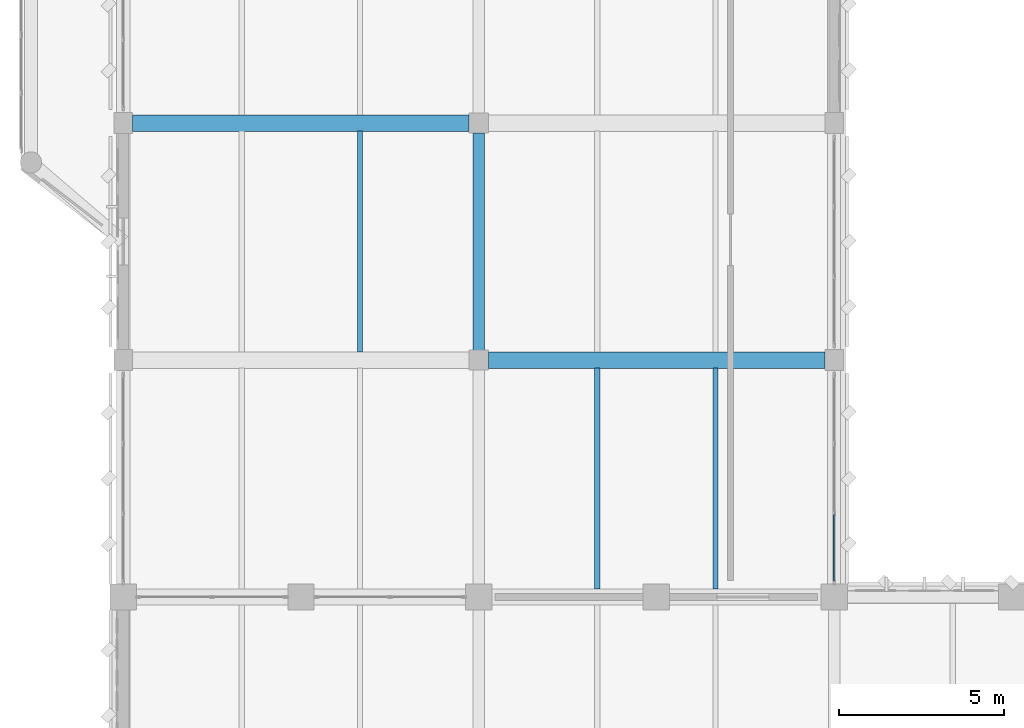
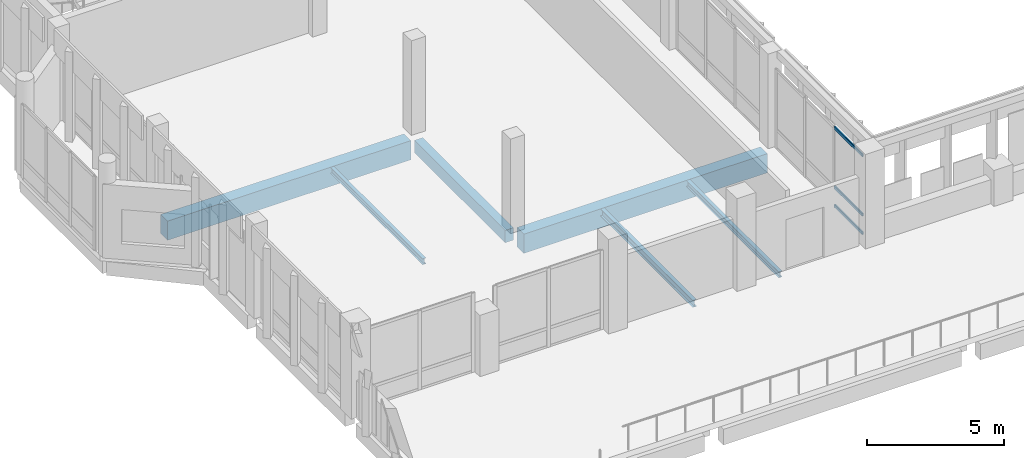
# One storey, part 12 of 158: 6 beams, 3 members, 1 element without a shape of its own.
"""IFC4 building model written with IfcOpenShell, lengths in metres."""

from ifc_helpers import new_model, si_unit, direction, frame, origin, origin_2d, place, context, subcontext, project, spatial, rectangle, hollow_rectangle, i_section, extrude, material, material_profile, profile_set, type_object, element, aggregate, save


model = new_model("IFC4")

# Units and contexts
model_context = context("Model", 3, precision=1e-05, world=origin(), true_north=direction((0.0, 1.0)))
body_context = subcontext(model_context, "Body", "Model", "MODEL_VIEW")
ifc_project = project(units=[si_unit("LENGTHUNIT", "METRE"), si_unit("AREAUNIT", "SQUARE_METRE"), si_unit("VOLUMEUNIT", "CUBIC_METRE"), si_unit("PLANEANGLEUNIT", "RADIAN"), si_unit("MASSUNIT", "GRAM", prefix="KILO")], contexts=[model_context])

# Site, building, storey
site_placement = place(None, origin())
site = spatial("IfcSite", under=ifc_project, at=site_placement, CompositionType="ELEMENT")
building_placement = place(site_placement, origin())
building = spatial("IfcBuilding", under=site, at=building_placement, Name="Lusvemor Sports Hall", CompositionType="ELEMENT")
storey_placement = place(building_placement, frame((0.0, 0.0, 10.800048828125)))
storey = spatial("IfcBuildingStorey", under=building, at=storey_placement, Name="L02", CompositionType="ELEMENT", Elevation=10.800048828125)

# Beam
ifc_material_1 = material(Name="Concrete C40/50", Category="concrete")
ifc_material_profile_1 = material_profile(ifc_material_1, rectangle(XDim=0.35009765625, YDim=0.550048828125, at=origin_2d()), Name="RC350x550")
ifc_profile_set_1 = profile_set([ifc_material_profile_1], Name="Concrete C40/50")
beam_type_1 = type_object("IfcBeamType", Name="BEAM_RC_550", PredefinedType="BEAM", material=ifc_profile_set_1)
beam_1_placement = place(storey_placement, frame((10.800048828125, 54.2958984375, -0.53515625), z_axis=(0.0, 1.0, 0.0), x_axis=(-1.0, 0.0, 0.0)))
element("IfcBeam", 1, at=beam_1_placement, inside=storey, type_object=beam_type_1, Name="Beam L02 2:G-H", PredefinedType="BEAM", context=body_context, shape_type="SweptSolid", body=[
    extrude(rectangle(XDim=0.35009765625, YDim=0.550048828125, at=origin_2d()), origin(), (0.0, 0.0, 1.0), 6.608154296875),
])

# Curtain wall, members
ifc_material_2 = material(Name="Thermally broken bronze-anodized aluminium", Category="aluminium")
curtain_wall_type = type_object("IfcCurtainWallType", Name="CW_WING_B", PredefinedType="NOTDEFINED", material=ifc_material_2)
curtain_wall_placement = place(storey_placement, origin())
curtain_wall = element("IfcCurtainWall", 2, at=curtain_wall_placement, inside=storey, type_object=curtain_wall_type, Name="Curtain Wall CW-L02-E-5-0", PredefinedType="NOTDEFINED")
ifc_material_3 = material(Name="Thermally broken bronze-anodized aluminium", Category="aluminium")
ifc_material_profile_2 = material_profile(ifc_material_3, hollow_rectangle(XDim=0.06005859375, YDim=0.135009765625, WallThickness=0.00390625, InnerFilletRadius=0.00390625, OuterFilletRadius=0.008056640625, at=origin_2d()), Name="CWTRN135x60x4")
ifc_profile_set_2 = profile_set([ifc_material_profile_2], Name="Thermally broken bronze-anodized aluminium")
member_type = type_object("IfcMemberType", Name="CW_TRN_B", PredefinedType="USERDEFINED", material=ifc_profile_set_2)
member_1_placement = place(storey_placement, frame((21.60009765625, 49.3076171875, 0.030029296875), z_axis=(0.0, -1.0, 0.0), x_axis=(1.0, 0.0, 0.0)))
member_1 = element("IfcMember", 3, at=member_1_placement, type_object=member_type, Name="CW02 transom 3.1", ObjectType="TRANSOM", PredefinedType="USERDEFINED", context=body_context, shape_type="SweptSolid", body=[
    extrude(hollow_rectangle(XDim=0.06005859375, YDim=0.135009765625, WallThickness=0.00390625, InnerFilletRadius=0.00390625, OuterFilletRadius=0.008056640625, at=origin_2d()), origin(), (0.0, 0.0, 1.0), 2.022705078125),
])
member_2_placement = place(storey_placement, frame((21.60009765625, 49.3076171875, 0.849853515625), z_axis=(0.0, -1.0, 0.0), x_axis=(1.0, 0.0, 0.0)))
member_2 = element("IfcMember", 4, at=member_2_placement, type_object=member_type, Name="CW02 transom 3.2", ObjectType="TRANSOM", PredefinedType="USERDEFINED", context=body_context, shape_type="SweptSolid", body=[
    extrude(hollow_rectangle(XDim=0.06005859375, YDim=0.135009765625, WallThickness=0.00390625, InnerFilletRadius=0.00390625, OuterFilletRadius=0.008056640625, at=origin_2d()), origin(), (0.0, 0.0, 1.0), 2.022705078125),
])
member_3_placement = place(storey_placement, frame((21.60009765625, 49.3076171875, 3.489990234375), z_axis=(0.0, -1.0, 0.0), x_axis=(1.0, 0.0, 0.0)))
member_3 = element("IfcMember", 5, at=member_3_placement, type_object=member_type, Name="CW02 transom 3.3", ObjectType="TRANSOM", PredefinedType="USERDEFINED", context=body_context, shape_type="SweptSolid", body=[
    extrude(hollow_rectangle(XDim=0.06005859375, YDim=0.135009765625, WallThickness=0.00390625, InnerFilletRadius=0.00390625, OuterFilletRadius=0.008056640625, at=origin_2d()), origin(), (0.0, 0.0, 1.0), 2.022705078125),
])
aggregate(curtain_wall, [member_1, member_2, member_3])

# Beams
ifc_material_4 = material(Name="Concrete C40/50", Category="concrete")
ifc_material_profile_3 = material_profile(ifc_material_4, rectangle(XDim=0.5, YDim=0.85009765625, at=origin_2d()), Name="RC500x850")
ifc_profile_set_3 = profile_set([ifc_material_profile_3], Name="Concrete C40/50")
beam_type_2 = type_object("IfcBeamType", Name="GIRD_RC_850", PredefinedType="T_BEAM", material=ifc_profile_set_3)
for number, where, z_axis, x_axis, name in (
    (6, (11.095947265625, 54.0, -0.68505859375), (1.0, 0.0, 0.0), (0.0, 1.0, 0.0), "Beam L02 G:2-3"),
    (7, (0.27587890625, 61.199951171875, -0.68505859375), (1.0, 0.0, 0.0), (0.0, 1.0, 0.0), "Beam L02 H:1-2"),
):
    element("IfcBeam", number, at=place(storey_placement, frame(where, z_axis=z_axis, x_axis=x_axis)), inside=storey, type_object=beam_type_2, Name=name, PredefinedType="T_BEAM", context=body_context, shape_type="SweptSolid", body=[
        extrude(rectangle(XDim=0.5, YDim=0.85009765625, at=origin_2d()), origin(), (0.0, 0.0, 1.0), 10.22802734375),
    ])
ifc_material_5 = material(Name="Steel S355", Category="steel")
ifc_material_profile_4 = material_profile(ifc_material_5, i_section(OverallWidth=0.14794921875, OverallDepth=0.26611328125, WebThickness=0.007568359375, FlangeThickness=0.012939453125, FilletRadius=0.012939453125, at=origin_2d()), Name="W250x44.8")
ifc_profile_set_4 = profile_set([ifc_material_profile_4], Name="Steel S355")
beam_type_3 = type_object("IfcBeamType", Name="JOIST_ST_250M", PredefinedType="JOIST", material=ifc_profile_set_4)
for number, where, z_axis, x_axis, name in (
    (8, (7.199951171875, 54.24609375, -0.39697265625), (0.0, 1.0, 0.0), (-1.0, 0.0, 0.0), "Secondary Joist L02 1-2/G-H #2"),
    (9, (18.0, 47.0458984375, -0.39697265625), (0.0, 1.0, 0.0), (-1.0, 0.0, 0.0), "Secondary Joist L02 2-3/F-G #2"),
):
    element("IfcBeam", number, at=place(storey_placement, frame(where, z_axis=z_axis, x_axis=x_axis)), inside=storey, type_object=beam_type_3, Name=name, PredefinedType="JOIST", context=body_context, shape_type="SweptSolid", body=[
        extrude(i_section(OverallWidth=0.14794921875, OverallDepth=0.26611328125, WebThickness=0.007568359375, FlangeThickness=0.012939453125, FilletRadius=0.012939453125, at=origin_2d()), origin(), (0.0, 0.0, 1.0), 6.7080078125),
    ])
ifc_material_6 = material(Name="Steel S355", Category="steel")
ifc_material_profile_5 = material_profile(ifc_material_6, i_section(OverallWidth=0.1669921875, OverallDepth=0.31689453125, WebThickness=0.007568359375, FlangeThickness=0.01318359375, FilletRadius=0.014892578125, at=origin_2d()), Name="W310x52.0")
ifc_profile_set_5 = profile_set([ifc_material_profile_5], Name="Steel S355")
beam_type_4 = type_object("IfcBeamType", Name="JOIST_ST_310M", PredefinedType="JOIST", material=ifc_profile_set_5)
beam_2_placement = place(storey_placement, frame((14.39990234375, 47.0458984375, -0.422607421875), z_axis=(0.0, 1.0, 0.0), x_axis=(-1.0, 0.0, 0.0)))
element("IfcBeam", 10, at=beam_2_placement, inside=storey, type_object=beam_type_4, Name="Secondary Joist L02 2-3/F-G #1", PredefinedType="JOIST", context=body_context, shape_type="SweptSolid", body=[
    extrude(i_section(OverallWidth=0.1669921875, OverallDepth=0.31689453125, WebThickness=0.007568359375, FlangeThickness=0.01318359375, FilletRadius=0.014892578125, at=origin_2d()), origin(), (0.0, 0.0, 1.0), 6.7080078125),
])

save(model, "model.ifc")
